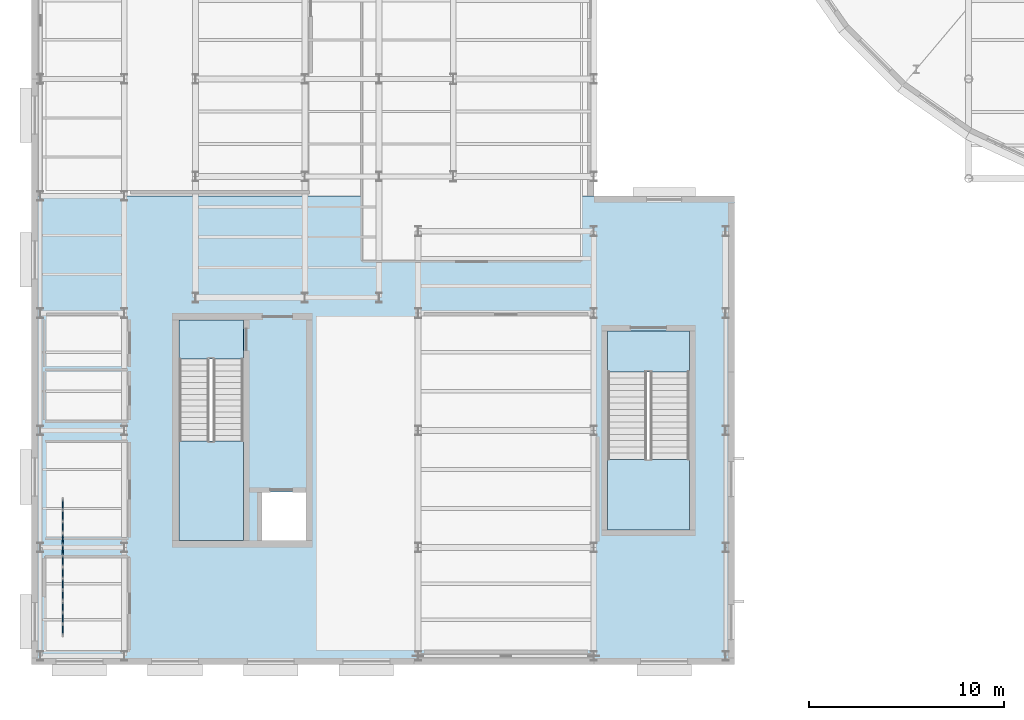
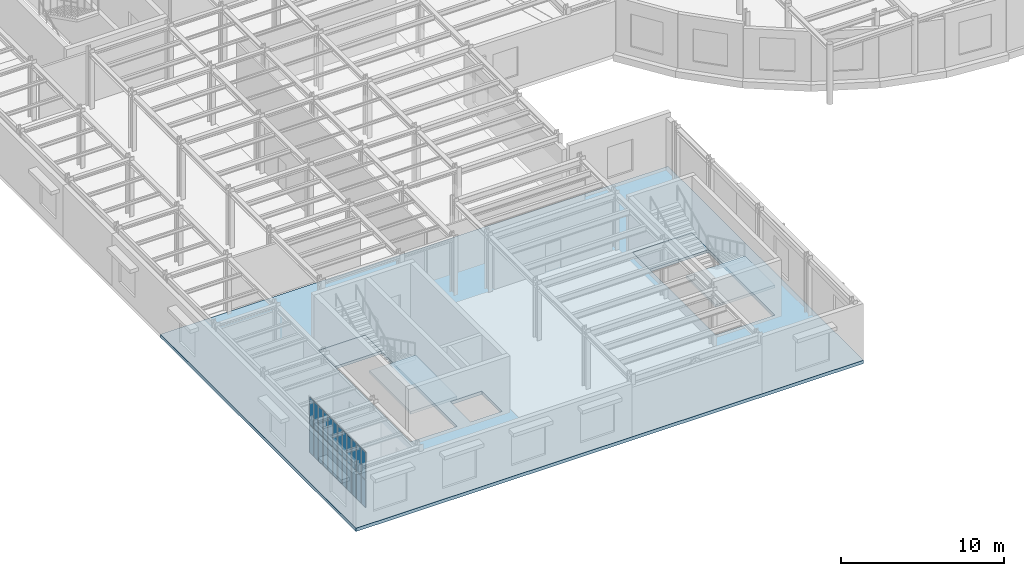
# One storey, part 47 of 91: 24 plates, 5 slabs, 6 elements without a shape of their own.
"""IFC4 building model written with IfcOpenShell, lengths in metres."""

from ifc_helpers import new_model, si_unit, direction, frame, origin, origin_2d, place, context, subcontext, project, spatial, polyline, rectangle, outline, extrude, material, layer, layer_set, type_object, element, aggregate, save


model = new_model("IFC4")

# Units and contexts
model_context = context("Model", 3, precision=1e-05, world=origin(), true_north=direction((0.0, 1.0)))
body_context = subcontext(model_context, "Body", "Model", "MODEL_VIEW")
ifc_project = project(units=[si_unit("LENGTHUNIT", "METRE"), si_unit("AREAUNIT", "SQUARE_METRE"), si_unit("VOLUMEUNIT", "CUBIC_METRE"), si_unit("PLANEANGLEUNIT", "RADIAN"), si_unit("MASSUNIT", "GRAM", prefix="KILO")], contexts=[model_context])

# Site, building, storey
site_placement = place(None, origin())
site = spatial("IfcSite", under=ifc_project, at=site_placement, CompositionType="ELEMENT")
building_placement = place(site_placement, origin())
building = spatial("IfcBuilding", under=site, at=building_placement, Name="Kolvaren Corner Interchange", CompositionType="ELEMENT")
storey_placement = place(building_placement, frame((0.0, 0.0, 6.0)))
storey = spatial("IfcBuildingStorey", under=building, at=storey_placement, Name="L02", CompositionType="ELEMENT", Elevation=6.0)

# Curtain wall, plates
ifc_material_1 = material(Name="Unitised Aluminium and Solar-Control Glass Curtain Wall", Category="aluminium")
curtain_wall_type = type_object("IfcCurtainWallType", Name="CW-V5-LOGGIA", PredefinedType="NOTDEFINED", material=ifc_material_1)
curtain_wall_1_placement = place(storey_placement, origin())
curtain_wall_1 = element("IfcCurtainWall", 1, at=curtain_wall_1_placement, inside=storey, type_object=curtain_wall_type, Name="Corner Loggia L02 Curtain Wall Bay 01", PredefinedType="NOTDEFINED")
ifc_material_2 = material(Name="Insulated Terracotta Spandrel Panel", Category="masonry")
ifc_layer_1 = layer(ifc_material_2, 0.052001953125)
ifc_layer_set_1 = layer_set([ifc_layer_1], Name="Insulated Terracotta Spandrel Panel")
plate_type = type_object("IfcPlateType", Name="PLT-CW-SP48", PredefinedType="SHEET", material=ifc_layer_set_1)
plate_1_placement = place(storey_placement, frame((1.60009765625, 1.806640625, 0.05517578125), z_axis=(0.0, 0.0, 1.0), x_axis=(0.0, 1.0, 0.0)))
plate_1 = element("IfcPlate", 2, at=plate_1_placement, type_object=plate_type, Name="CW-154 panel 1.1", PredefinedType="CURTAIN_PANEL", context=body_context, shape_type="SweptSolid", body=[
    extrude(rectangle(XDim=0.493408203125, YDim=0.052001953125, at=origin_2d()), origin(), (0.0, 0.0, 1.0), 2.027587890625),
])
plate_2_placement = place(storey_placement, frame((1.60009765625, 1.806640625, 2.1376953125), z_axis=(0.0, 0.0, 1.0), x_axis=(0.0, 1.0, 0.0)))
plate_2 = element("IfcPlate", 3, at=plate_2_placement, type_object=plate_type, Name="CW-154 panel 1.2", PredefinedType="CURTAIN_PANEL", context=body_context, shape_type="SweptSolid", body=[
    extrude(rectangle(XDim=0.493408203125, YDim=0.052001953125, at=origin_2d()), origin(), (0.0, 0.0, 1.0), 2.027587890625),
])
plate_3_placement = place(storey_placement, frame((1.60009765625, 2.375, 0.05517578125), z_axis=(0.0, 0.0, 1.0), x_axis=(0.0, 1.0, 0.0)))
plate_3 = element("IfcPlate", 4, at=plate_3_placement, type_object=plate_type, Name="CW-154 panel 2.1", PredefinedType="CURTAIN_PANEL", context=body_context, shape_type="SweptSolid", body=[
    extrude(rectangle(XDim=0.5234375, YDim=0.052001953125, at=origin_2d()), origin(), (0.0, 0.0, 1.0), 2.027587890625),
])
plate_4_placement = place(storey_placement, frame((1.60009765625, 2.375, 2.1376953125), z_axis=(0.0, 0.0, 1.0), x_axis=(0.0, 1.0, 0.0)))
plate_4 = element("IfcPlate", 5, at=plate_4_placement, type_object=plate_type, Name="CW-154 panel 2.2", PredefinedType="CURTAIN_PANEL", context=body_context, shape_type="SweptSolid", body=[
    extrude(rectangle(XDim=0.5234375, YDim=0.052001953125, at=origin_2d()), origin(), (0.0, 0.0, 1.0), 2.027587890625),
])
plate_5_placement = place(storey_placement, frame((1.60009765625, 2.943359375, 0.05517578125), z_axis=(0.0, 0.0, 1.0), x_axis=(0.0, 1.0, 0.0)))
plate_5 = element("IfcPlate", 6, at=plate_5_placement, type_object=plate_type, Name="CW-154 panel 3.1", PredefinedType="CURTAIN_PANEL", context=body_context, shape_type="SweptSolid", body=[
    extrude(rectangle(XDim=0.493408203125, YDim=0.052001953125, at=origin_2d()), origin(), (0.0, 0.0, 1.0), 2.027587890625),
])
plate_6_placement = place(storey_placement, frame((1.60009765625, 2.943359375, 2.1376953125), z_axis=(0.0, 0.0, 1.0), x_axis=(0.0, 1.0, 0.0)))
plate_6 = element("IfcPlate", 7, at=plate_6_placement, type_object=plate_type, Name="CW-154 panel 3.2", PredefinedType="CURTAIN_PANEL", context=body_context, shape_type="SweptSolid", body=[
    extrude(rectangle(XDim=0.493408203125, YDim=0.052001953125, at=origin_2d()), origin(), (0.0, 0.0, 1.0), 2.027587890625),
])
aggregate(curtain_wall_1, [plate_1, plate_2, plate_3, plate_4, plate_5, plate_6])

curtain_wall_2_placement = place(storey_placement, origin())
curtain_wall_2 = element("IfcCurtainWall", 8, at=curtain_wall_2_placement, inside=storey, type_object=curtain_wall_type, Name="Corner Loggia L02 Curtain Wall Bay 02", PredefinedType="NOTDEFINED")
plate_7_placement = place(storey_placement, frame((1.60009765625, 3.556640625, 0.05517578125), z_axis=(0.0, 0.0, 1.0), x_axis=(0.0, 1.0, 0.0)))
plate_7 = element("IfcPlate", 9, at=plate_7_placement, type_object=plate_type, Name="CW-155 panel 1.1", PredefinedType="CURTAIN_PANEL", context=body_context, shape_type="SweptSolid", body=[
    extrude(rectangle(XDim=0.493408203125, YDim=0.052001953125, at=origin_2d()), origin(), (0.0, 0.0, 1.0), 2.027587890625),
])
plate_8_placement = place(storey_placement, frame((1.60009765625, 3.556640625, 2.1376953125), z_axis=(0.0, 0.0, 1.0), x_axis=(0.0, 1.0, 0.0)))
plate_8 = element("IfcPlate", 10, at=plate_8_placement, type_object=plate_type, Name="CW-155 panel 1.2", PredefinedType="CURTAIN_PANEL", context=body_context, shape_type="SweptSolid", body=[
    extrude(rectangle(XDim=0.493408203125, YDim=0.052001953125, at=origin_2d()), origin(), (0.0, 0.0, 1.0), 2.027587890625),
])
plate_9_placement = place(storey_placement, frame((1.60009765625, 4.125, 0.05517578125), z_axis=(0.0, 0.0, 1.0), x_axis=(0.0, 1.0, 0.0)))
plate_9 = element("IfcPlate", 11, at=plate_9_placement, type_object=plate_type, Name="CW-155 panel 2.1", PredefinedType="CURTAIN_PANEL", context=body_context, shape_type="SweptSolid", body=[
    extrude(rectangle(XDim=0.5234375, YDim=0.052001953125, at=origin_2d()), origin(), (0.0, 0.0, 1.0), 2.027587890625),
])
plate_10_placement = place(storey_placement, frame((1.60009765625, 4.125, 2.1376953125), z_axis=(0.0, 0.0, 1.0), x_axis=(0.0, 1.0, 0.0)))
plate_10 = element("IfcPlate", 12, at=plate_10_placement, type_object=plate_type, Name="CW-155 panel 2.2", PredefinedType="CURTAIN_PANEL", context=body_context, shape_type="SweptSolid", body=[
    extrude(rectangle(XDim=0.5234375, YDim=0.052001953125, at=origin_2d()), origin(), (0.0, 0.0, 1.0), 2.027587890625),
])
plate_11_placement = place(storey_placement, frame((1.60009765625, 4.693359375, 0.05517578125), z_axis=(0.0, 0.0, 1.0), x_axis=(0.0, 1.0, 0.0)))
plate_11 = element("IfcPlate", 13, at=plate_11_placement, type_object=plate_type, Name="CW-155 panel 3.1", PredefinedType="CURTAIN_PANEL", context=body_context, shape_type="SweptSolid", body=[
    extrude(rectangle(XDim=0.493408203125, YDim=0.052001953125, at=origin_2d()), origin(), (0.0, 0.0, 1.0), 2.027587890625),
])
plate_12_placement = place(storey_placement, frame((1.60009765625, 4.693359375, 2.1376953125), z_axis=(0.0, 0.0, 1.0), x_axis=(0.0, 1.0, 0.0)))
plate_12 = element("IfcPlate", 14, at=plate_12_placement, type_object=plate_type, Name="CW-155 panel 3.2", PredefinedType="CURTAIN_PANEL", context=body_context, shape_type="SweptSolid", body=[
    extrude(rectangle(XDim=0.493408203125, YDim=0.052001953125, at=origin_2d()), origin(), (0.0, 0.0, 1.0), 2.027587890625),
])
aggregate(curtain_wall_2, [plate_7, plate_8, plate_9, plate_10, plate_11, plate_12])

curtain_wall_3_placement = place(storey_placement, origin())
curtain_wall_3 = element("IfcCurtainWall", 15, at=curtain_wall_3_placement, inside=storey, type_object=curtain_wall_type, Name="Corner Loggia L02 Curtain Wall Bay 03", PredefinedType="NOTDEFINED")
plate_13_placement = place(storey_placement, frame((1.60009765625, 5.306640625, 0.05517578125), z_axis=(0.0, 0.0, 1.0), x_axis=(0.0, 1.0, 0.0)))
plate_13 = element("IfcPlate", 16, at=plate_13_placement, type_object=plate_type, Name="CW-156 panel 1.1", PredefinedType="CURTAIN_PANEL", context=body_context, shape_type="SweptSolid", body=[
    extrude(rectangle(XDim=0.493408203125, YDim=0.052001953125, at=origin_2d()), origin(), (0.0, 0.0, 1.0), 2.027587890625),
])
plate_14_placement = place(storey_placement, frame((1.60009765625, 5.306640625, 2.1376953125), z_axis=(0.0, 0.0, 1.0), x_axis=(0.0, 1.0, 0.0)))
plate_14 = element("IfcPlate", 17, at=plate_14_placement, type_object=plate_type, Name="CW-156 panel 1.2", PredefinedType="CURTAIN_PANEL", context=body_context, shape_type="SweptSolid", body=[
    extrude(rectangle(XDim=0.493408203125, YDim=0.052001953125, at=origin_2d()), origin(), (0.0, 0.0, 1.0), 2.027587890625),
])
plate_15_placement = place(storey_placement, frame((1.60009765625, 5.875, 0.05517578125), z_axis=(0.0, 0.0, 1.0), x_axis=(0.0, 1.0, 0.0)))
plate_15 = element("IfcPlate", 18, at=plate_15_placement, type_object=plate_type, Name="CW-156 panel 2.1", PredefinedType="CURTAIN_PANEL", context=body_context, shape_type="SweptSolid", body=[
    extrude(rectangle(XDim=0.5234375, YDim=0.052001953125, at=origin_2d()), origin(), (0.0, 0.0, 1.0), 2.027587890625),
])
plate_16_placement = place(storey_placement, frame((1.60009765625, 5.875, 2.1376953125), z_axis=(0.0, 0.0, 1.0), x_axis=(0.0, 1.0, 0.0)))
plate_16 = element("IfcPlate", 19, at=plate_16_placement, type_object=plate_type, Name="CW-156 panel 2.2", PredefinedType="CURTAIN_PANEL", context=body_context, shape_type="SweptSolid", body=[
    extrude(rectangle(XDim=0.5234375, YDim=0.052001953125, at=origin_2d()), origin(), (0.0, 0.0, 1.0), 2.027587890625),
])
plate_17_placement = place(storey_placement, frame((1.60009765625, 6.443359375, 0.05517578125), z_axis=(0.0, 0.0, 1.0), x_axis=(0.0, 1.0, 0.0)))
plate_17 = element("IfcPlate", 20, at=plate_17_placement, type_object=plate_type, Name="CW-156 panel 3.1", PredefinedType="CURTAIN_PANEL", context=body_context, shape_type="SweptSolid", body=[
    extrude(rectangle(XDim=0.493408203125, YDim=0.052001953125, at=origin_2d()), origin(), (0.0, 0.0, 1.0), 2.027587890625),
])
plate_18_placement = place(storey_placement, frame((1.60009765625, 6.443359375, 2.1376953125), z_axis=(0.0, 0.0, 1.0), x_axis=(0.0, 1.0, 0.0)))
plate_18 = element("IfcPlate", 21, at=plate_18_placement, type_object=plate_type, Name="CW-156 panel 3.2", PredefinedType="CURTAIN_PANEL", context=body_context, shape_type="SweptSolid", body=[
    extrude(rectangle(XDim=0.493408203125, YDim=0.052001953125, at=origin_2d()), origin(), (0.0, 0.0, 1.0), 2.027587890625),
])
aggregate(curtain_wall_3, [plate_13, plate_14, plate_15, plate_16, plate_17, plate_18])

curtain_wall_4_placement = place(storey_placement, origin())
curtain_wall_4 = element("IfcCurtainWall", 22, at=curtain_wall_4_placement, inside=storey, type_object=curtain_wall_type, Name="Corner Loggia L02 Curtain Wall Bay 04", PredefinedType="NOTDEFINED")
plate_19_placement = place(storey_placement, frame((1.60009765625, 7.056640625, 0.05517578125), z_axis=(0.0, 0.0, 1.0), x_axis=(0.0, 1.0, 0.0)))
plate_19 = element("IfcPlate", 23, at=plate_19_placement, type_object=plate_type, Name="CW-157 panel 1.1", PredefinedType="CURTAIN_PANEL", context=body_context, shape_type="SweptSolid", body=[
    extrude(rectangle(XDim=0.493408203125, YDim=0.052001953125, at=origin_2d()), origin(), (0.0, 0.0, 1.0), 2.027587890625),
])
plate_20_placement = place(storey_placement, frame((1.60009765625, 7.056640625, 2.1376953125), z_axis=(0.0, 0.0, 1.0), x_axis=(0.0, 1.0, 0.0)))
plate_20 = element("IfcPlate", 24, at=plate_20_placement, type_object=plate_type, Name="CW-157 panel 1.2", PredefinedType="CURTAIN_PANEL", context=body_context, shape_type="SweptSolid", body=[
    extrude(rectangle(XDim=0.493408203125, YDim=0.052001953125, at=origin_2d()), origin(), (0.0, 0.0, 1.0), 2.027587890625),
])
plate_21_placement = place(storey_placement, frame((1.60009765625, 7.625, 0.05517578125), z_axis=(0.0, 0.0, 1.0), x_axis=(0.0, 1.0, 0.0)))
plate_21 = element("IfcPlate", 25, at=plate_21_placement, type_object=plate_type, Name="CW-157 panel 2.1", PredefinedType="CURTAIN_PANEL", context=body_context, shape_type="SweptSolid", body=[
    extrude(rectangle(XDim=0.5234375, YDim=0.052001953125, at=origin_2d()), origin(), (0.0, 0.0, 1.0), 2.027587890625),
])
plate_22_placement = place(storey_placement, frame((1.60009765625, 7.625, 2.1376953125), z_axis=(0.0, 0.0, 1.0), x_axis=(0.0, 1.0, 0.0)))
plate_22 = element("IfcPlate", 26, at=plate_22_placement, type_object=plate_type, Name="CW-157 panel 2.2", PredefinedType="CURTAIN_PANEL", context=body_context, shape_type="SweptSolid", body=[
    extrude(rectangle(XDim=0.5234375, YDim=0.052001953125, at=origin_2d()), origin(), (0.0, 0.0, 1.0), 2.027587890625),
])
plate_23_placement = place(storey_placement, frame((1.60009765625, 8.193359375, 0.05517578125), z_axis=(0.0, 0.0, 1.0), x_axis=(0.0, 1.0, 0.0)))
plate_23 = element("IfcPlate", 27, at=plate_23_placement, type_object=plate_type, Name="CW-157 panel 3.1", PredefinedType="CURTAIN_PANEL", context=body_context, shape_type="SweptSolid", body=[
    extrude(rectangle(XDim=0.493408203125, YDim=0.052001953125, at=origin_2d()), origin(), (0.0, 0.0, 1.0), 2.027587890625),
])
plate_24_placement = place(storey_placement, frame((1.60009765625, 8.193359375, 2.1376953125), z_axis=(0.0, 0.0, 1.0), x_axis=(0.0, 1.0, 0.0)))
plate_24 = element("IfcPlate", 28, at=plate_24_placement, type_object=plate_type, Name="CW-157 panel 3.2", PredefinedType="CURTAIN_PANEL", context=body_context, shape_type="SweptSolid", body=[
    extrude(rectangle(XDim=0.493408203125, YDim=0.052001953125, at=origin_2d()), origin(), (0.0, 0.0, 1.0), 2.027587890625),
])
aggregate(curtain_wall_4, [plate_19, plate_20, plate_21, plate_22, plate_23, plate_24])

# Slabs
ifc_material_3 = material(Name="Concrete C35/45", Category="concrete")
ifc_layer_2 = layer(ifc_material_3, 0.25)
ifc_layer_set_2 = layer_set([ifc_layer_2], Name="Concrete C35/45")
slab_type_1 = type_object("IfcSlabType", Name="SL-COMP-250", PredefinedType="FLOOR", material=ifc_layer_set_2)
slab_1_placement = place(storey_placement, frame((0.0, 0.0, -0.25)))
element("IfcSlab", 29, at=slab_1_placement, inside=storey, type_object=slab_type_1, Name="Level 02 Operations South Wing Floor Slab", PredefinedType="FLOOR", context=body_context, shape_type="SweptSolid", body=[
    extrude(outline(polyline([(0.0, 24.0), (0.0, 0.0), (36.0, 0.0), (36.0, 24.0), (0.0, 24.0)]), holes=[polyline([(10.85009765625, 17.64990234375), (10.85009765625, 6.35009765625), (7.550048828125, 6.35009765625), (7.550048828125, 17.64990234375), (10.85009765625, 17.64990234375)]), polyline([(33.699951171875, 6.89990234375), (29.5, 6.89990234375), (29.5, 17.10009765625), (33.699951171875, 17.10009765625), (33.699951171875, 6.89990234375)]), polyline([(11.800048828125, 8.85009765625), (14.050048828125, 8.85009765625), (14.050048828125, 6.35009765625), (11.800048828125, 6.35009765625), (11.800048828125, 8.85009765625)])]), origin(), (0.0, 0.0, 1.0), 0.25),
])
ifc_material_4 = material(Name="Concrete C35/45", Category="concrete")
ifc_layer_3 = layer(ifc_material_4, 0.199951171875)
ifc_layer_set_3 = layer_set([ifc_layer_3], Name="Concrete C35/45")
slab_type_2 = type_object("IfcSlabType", Name="SL-STAIR-LAND200", PredefinedType="LANDING", material=ifc_layer_set_3)
slab_2_placement = place(storey_placement, frame((0.0, 0.0, -0.199951171875)))
element("IfcSlab", 30, at=slab_2_placement, inside=storey, type_object=slab_type_2, Name="Core C1 Southwest Firefighting Stair L02 Floor Arrival Landing Slab", PredefinedType="LANDING", context=body_context, shape_type="SweptSolid", body=[
    extrude(outline(polyline([(7.550048828125, 17.64990234375), (7.550048828125, 15.64990234375), (10.85009765625, 15.64990234375), (10.85009765625, 17.64990234375), (7.550048828125, 17.64990234375)])), origin(), (0.0, 0.0, 1.0), 0.199951171875),
])

# Stair, slab
ifc_material_5 = material(Name="Concrete C35/45", Category="concrete")
stair_type_1 = type_object("IfcStairType", Name="ST-FF-1550", PredefinedType="HALF_TURN_STAIR", material=ifc_material_5)
stair_1_placement = place(storey_placement, origin())
stair_1 = element("IfcStair", 31, at=stair_1_placement, inside=storey, type_object=stair_type_1, Name="Core C1 Southwest Firefighting Stair L02 to L03 Stair", PredefinedType="HALF_TURN_STAIR")
slab_3_placement = place(storey_placement, frame((0.0, 0.0, 2.050048828125)))
slab_3 = element("IfcSlab", 32, at=slab_3_placement, type_object=slab_type_2, Name="Core C1 Southwest Firefighting Stair L02 Intermediate Half Landing Slab", PredefinedType="LANDING", context=body_context, shape_type="SweptSolid", body=[
    extrude(outline(polyline([(7.550048828125, 11.449951171875), (7.550048828125, 6.35009765625), (10.85009765625, 6.35009765625), (10.85009765625, 11.449951171875), (7.550048828125, 11.449951171875)])), origin(), (0.0, 0.0, 1.0), 0.199951171875),
])
aggregate(stair_1, [slab_3])

# Slab
slab_4_placement = place(storey_placement, frame((0.0, 0.0, -0.199951171875)))
element("IfcSlab", 33, at=slab_4_placement, inside=storey, type_object=slab_type_2, Name="Operations South Bar Protected Exit Stair L02 Floor Arrival Landing Slab", PredefinedType="LANDING", context=body_context, shape_type="SweptSolid", body=[
    extrude(outline(polyline([(29.5, 17.10009765625), (29.5, 15.0), (33.699951171875, 15.0), (33.699951171875, 17.10009765625), (29.5, 17.10009765625)])), origin(), (0.0, 0.0, 1.0), 0.199951171875),
])

# Stair, slab
ifc_material_6 = material(Name="Concrete C35/45", Category="concrete")
stair_type_2 = type_object("IfcStairType", Name="ST-GL-2000", PredefinedType="HALF_TURN_STAIR", material=ifc_material_6)
stair_2_placement = place(storey_placement, origin())
stair_2 = element("IfcStair", 34, at=stair_2_placement, inside=storey, type_object=stair_type_2, Name="Operations South Bar Protected Exit Stair L02 to L03 Stair", PredefinedType="HALF_TURN_STAIR")
slab_5_placement = place(storey_placement, frame((0.0, 0.0, 2.050048828125)))
slab_5 = element("IfcSlab", 35, at=slab_5_placement, type_object=slab_type_2, Name="Operations South Bar Protected Exit Stair L02 Intermediate Half Landing Slab", PredefinedType="LANDING", context=body_context, shape_type="SweptSolid", body=[
    extrude(outline(polyline([(29.5, 10.52001953125), (29.5, 6.89990234375), (33.699951171875, 6.89990234375), (33.699951171875, 10.52001953125), (29.5, 10.52001953125)])), origin(), (0.0, 0.0, 1.0), 0.199951171875),
])
aggregate(stair_2, [slab_5])

save(model, "model.ifc")
